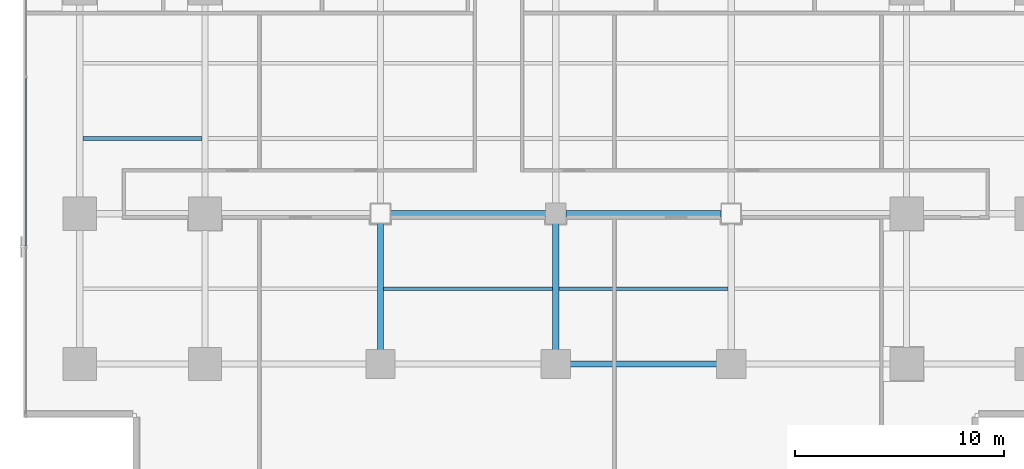
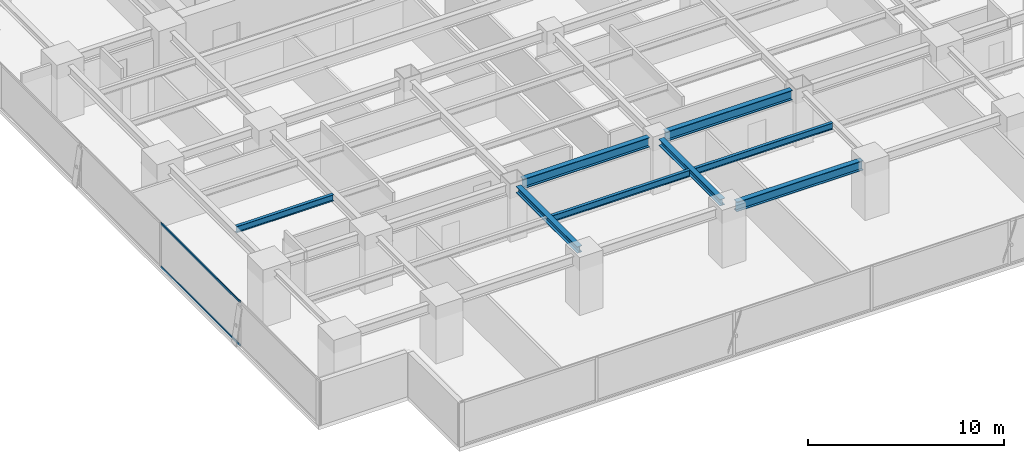
# One storey, part 7 of 37: 8 beams, 2 members, 1 element without a shape of its own.
"""IFC4 building model written with IfcOpenShell, lengths in metres."""

from ifc_helpers import new_model, si_unit, direction, frame, origin, origin_2d, place, context, subcontext, project, spatial, hollow_rectangle, i_section, extrude, source, transform, mapped, material, layer, layer_set, material_profile, profile_set, type_object, element, aggregate, save


model = new_model("IFC4")

# Units and contexts
model_context = context("Model", 3, precision=1e-05, world=origin(), true_north=direction((0.0, 1.0)))
body_context = subcontext(model_context, "Body", "Model", "MODEL_VIEW")
ifc_project = project(units=[si_unit("LENGTHUNIT", "METRE"), si_unit("AREAUNIT", "SQUARE_METRE"), si_unit("VOLUMEUNIT", "CUBIC_METRE"), si_unit("PLANEANGLEUNIT", "RADIAN"), si_unit("MASSUNIT", "GRAM", prefix="KILO")], contexts=[model_context])

# Site, building, storey
site_placement = place(None, origin())
site = spatial("IfcSite", under=ifc_project, at=site_placement, CompositionType="ELEMENT")
building_placement = place(site_placement, origin())
building = spatial("IfcBuilding", under=site, at=building_placement, Name="Sumidabori Civic Tower", CompositionType="ELEMENT")
storey_placement = place(building_placement, frame((0.0, 0.0, 95.60009765625)))
storey = spatial("IfcBuildingStorey", under=building, at=storey_placement, Name="L24", CompositionType="ELEMENT", Elevation=95.60009765625)

# Beams
ifc_material_1 = material(Name="Steel SN490", Category="steel")
ifc_material_profile_1 = material_profile(ifc_material_1, i_section(OverallWidth=0.300048828125, OverallDepth=0.60009765625, WebThickness=0.015380859375, FlangeThickness=0.030029296875, at=origin_2d()), Name="HE 600 B")
ifc_profile_set_1 = profile_set([ifc_material_profile_1], Name="Steel SN490")
beam_type_1 = type_object("IfcBeamType", Name="BM-GIRD-600", PredefinedType="BEAM", material=ifc_profile_set_1)
shared_shape_1 = source(origin(), body_context, "Body", "SweptSolid", [
    extrude(i_section(OverallWidth=0.300048828125, OverallDepth=0.60009765625, WebThickness=0.015380859375, FlangeThickness=0.030029296875, at=origin_2d()), origin(), (0.0, 0.0, 1.0), 7.43994140625),
])
for number, where, z_axis, x_axis, name in (
    (1, (0.47998046875, -18.0, 3.059814453125), (1.0, 0.0, 0.0), (0.0, 1.0, 0.0), "Primary Girder L24 GX-04"),
    (2, (-7.919921875, -10.800048828125, 3.059814453125), (1.0, 0.0, 0.0), (0.0, 1.0, 0.0), "Primary Girder L24 GX-09"),
    (3, (0.47998046875, -10.800048828125, 3.059814453125), (1.0, 0.0, 0.0), (0.0, 1.0, 0.0), "Primary Girder L24 GX-10"),
):
    element("IfcBeam", number, at=place(storey_placement, frame(where, z_axis=z_axis, x_axis=x_axis)), inside=storey, type_object=beam_type_1, Name=name, PredefinedType="BEAM", context=body_context, shape_type="MappedRepresentation", body=[
        mapped(shared_shape_1, transform((0.0, 0.0, 0.0), x_axis=(1.0, 0.0, 0.0), y_axis=(0.0, 1.0, 0.0), z_axis=(0.0, 0.0, 1.0), scale=1.0)),
    ])
ifc_material_profile_2 = material_profile(ifc_material_1, i_section(OverallWidth=0.300048828125, OverallDepth=0.39990234375, WebThickness=0.013427734375, FlangeThickness=0.02392578125, at=origin_2d()), Name="HE 400 B")
ifc_profile_set_2 = profile_set([ifc_material_profile_2], Name="Steel SN490")
beam_type_2 = type_object("IfcBeamType", Name="BM-GIRD-400", PredefinedType="BEAM", material=ifc_profile_set_2)
shared_shape_2 = source(origin(), body_context, "Body", "SweptSolid", [
    extrude(i_section(OverallWidth=0.300048828125, OverallDepth=0.39990234375, WebThickness=0.013427734375, FlangeThickness=0.02392578125, at=origin_2d()), origin(), (0.0, 0.0, 1.0), 6.239990234375),
])
for number, where, z_axis, x_axis, name in (
    (4, (-8.39990234375, -17.52001953125, 3.159912109375), (0.0, 1.0, 0.0), (-1.0, 0.0, 0.0), "Primary Girder L24 GY-29"),
    (5, (0.0, -17.52001953125, 3.159912109375), (0.0, 1.0, 0.0), (-1.0, 0.0, 0.0), "Primary Girder L24 GY-31"),
):
    element("IfcBeam", number, at=place(storey_placement, frame(where, z_axis=z_axis, x_axis=x_axis)), inside=storey, type_object=beam_type_2, Name=name, PredefinedType="BEAM", context=body_context, shape_type="MappedRepresentation", body=[
        mapped(shared_shape_2, transform((0.0, 0.0, 0.0), x_axis=(1.0, 0.0, 0.0), y_axis=(0.0, 1.0, 0.0), z_axis=(0.0, 0.0, 1.0), scale=1.0)),
    ])
ifc_material_profile_3 = material_profile(ifc_material_1, i_section(OverallWidth=0.179931640625, OverallDepth=0.39990234375, WebThickness=0.008544921875, FlangeThickness=0.013427734375, at=origin_2d()), Name="IPE 400")
ifc_profile_set_3 = profile_set([ifc_material_profile_3], Name="Steel SN490")
beam_type_3 = type_object("IfcBeamType", Name="BM-JST-400", PredefinedType="JOIST", material=ifc_profile_set_3)
shared_shape_3 = source(origin(), body_context, "Body", "SweptSolid", [
    extrude(i_section(OverallWidth=0.179931640625, OverallDepth=0.39990234375, WebThickness=0.008544921875, FlangeThickness=0.013427734375, at=origin_2d()), origin(), (0.0, 0.0, 1.0), 5.699951171875),
])
beam_placement = place(storey_placement, frame((-22.64990234375, -7.199951171875, 3.159912109375), z_axis=(1.0, 0.0, 0.0), x_axis=(0.0, 1.0, 0.0)))
element("IfcBeam", 6, at=beam_placement, inside=storey, type_object=beam_type_3, Name="Outer Bay Floor Joist L24 JSTO-43", PredefinedType="JOIST", context=body_context, shape_type="MappedRepresentation", body=[
    mapped(shared_shape_3, transform((0.0, 0.0, 0.0), x_axis=(1.0, 0.0, 0.0), y_axis=(0.0, 1.0, 0.0), z_axis=(0.0, 0.0, 1.0), scale=1.0)),
])
shared_shape_4 = source(origin(), body_context, "Body", "SweptSolid", [
    extrude(i_section(OverallWidth=0.179931640625, OverallDepth=0.39990234375, WebThickness=0.008544921875, FlangeThickness=0.013427734375, at=origin_2d()), origin(), (0.0, 0.0, 1.0), 8.10009765625),
])
for number, where, z_axis, x_axis, name in (
    (7, (-8.25, -14.39990234375, 3.159912109375), (1.0, 0.0, 0.0), (0.0, 1.0, 0.0), "South Bay Floor Joist L24 JSTS-56"),
    (8, (0.14990234375, -14.39990234375, 3.159912109375), (1.0, 0.0, 0.0), (0.0, 1.0, 0.0), "South Bay Floor Joist L24 JSTS-57"),
):
    element("IfcBeam", number, at=place(storey_placement, frame(where, z_axis=z_axis, x_axis=x_axis)), inside=storey, type_object=beam_type_3, Name=name, PredefinedType="JOIST", context=body_context, shape_type="MappedRepresentation", body=[
        mapped(shared_shape_4, transform((0.0, 0.0, 0.0), x_axis=(1.0, 0.0, 0.0), y_axis=(0.0, 1.0, 0.0), z_axis=(0.0, 0.0, 1.0), scale=1.0)),
    ])

# Curtain wall, members
ifc_material_2 = material(Name="Anodised Bronze Aluminium AW-6063-T6", Category="aluminium")
ifc_layer = layer(ifc_material_2, 0.179931640625, Name="Anodised Bronze Aluminium AW-6063-T6")
ifc_layer_set = layer_set([ifc_layer], Name="Anodised Bronze Aluminium AW-6063-T6")
curtain_wall_type = type_object("IfcCurtainWallType", Name="CW-SYS-3", PredefinedType="NOTDEFINED", material=ifc_layer_set)
curtain_wall_placement = place(storey_placement, origin())
curtain_wall = element("IfcCurtainWall", 9, at=curtain_wall_placement, inside=storey, type_object=curtain_wall_type, Name="Curtain Wall CW:L24:R10", PredefinedType="NOTDEFINED")
ifc_material_profile_4 = material_profile(ifc_material_2, hollow_rectangle(XDim=0.06005859375, YDim=0.1298828125, WallThickness=0.0048828125, at=origin_2d()), Name="ALU TRANSOM 130x60")
ifc_profile_set_4 = profile_set([ifc_material_profile_4], Name="Anodised Bronze Aluminium AW-6063-T6")
member_type = type_object("IfcMemberType", Name="CW-TRN-130", PredefinedType="USERDEFINED", material=ifc_profile_set_4)
shared_shape_5 = source(origin(), body_context, "Body", "SweptSolid", [
    extrude(hollow_rectangle(XDim=0.06005859375, YDim=0.1298828125, WallThickness=0.0048828125, at=origin_2d()), origin(), (0.0, 0.0, 1.0), 8.063232421875),
])
member_1_placement = place(storey_placement, frame((-25.3798828125, -4.29638671875, 0.02978515625), z_axis=(0.0, -1.0, 0.0), x_axis=(1.0, 0.0, 0.0)))
member_1 = element("IfcMember", 10, at=member_1_placement, type_object=member_type, Name="CW-3 transom 4.1", ObjectType="TRANSOM", PredefinedType="USERDEFINED", context=body_context, shape_type="MappedRepresentation", body=[
    mapped(shared_shape_5, transform((0.0, 0.0, 0.0), x_axis=(1.0, 0.0, 0.0), y_axis=(0.0, 1.0, 0.0), z_axis=(0.0, 0.0, 1.0), scale=1.0)),
])
member_2_placement = place(storey_placement, frame((-25.3798828125, -4.29638671875, 2.7099609375), z_axis=(0.0, -1.0, 0.0), x_axis=(1.0, 0.0, 0.0)))
member_2 = element("IfcMember", 11, at=member_2_placement, type_object=member_type, Name="CW-3 transom 4.2", ObjectType="TRANSOM", PredefinedType="USERDEFINED", context=body_context, shape_type="MappedRepresentation", body=[
    mapped(shared_shape_5, transform((0.0, 0.0, 0.0), x_axis=(1.0, 0.0, 0.0), y_axis=(0.0, 1.0, 0.0), z_axis=(0.0, 0.0, 1.0), scale=1.0)),
])
aggregate(curtain_wall, [member_1, member_2])

save(model, "model.ifc")
